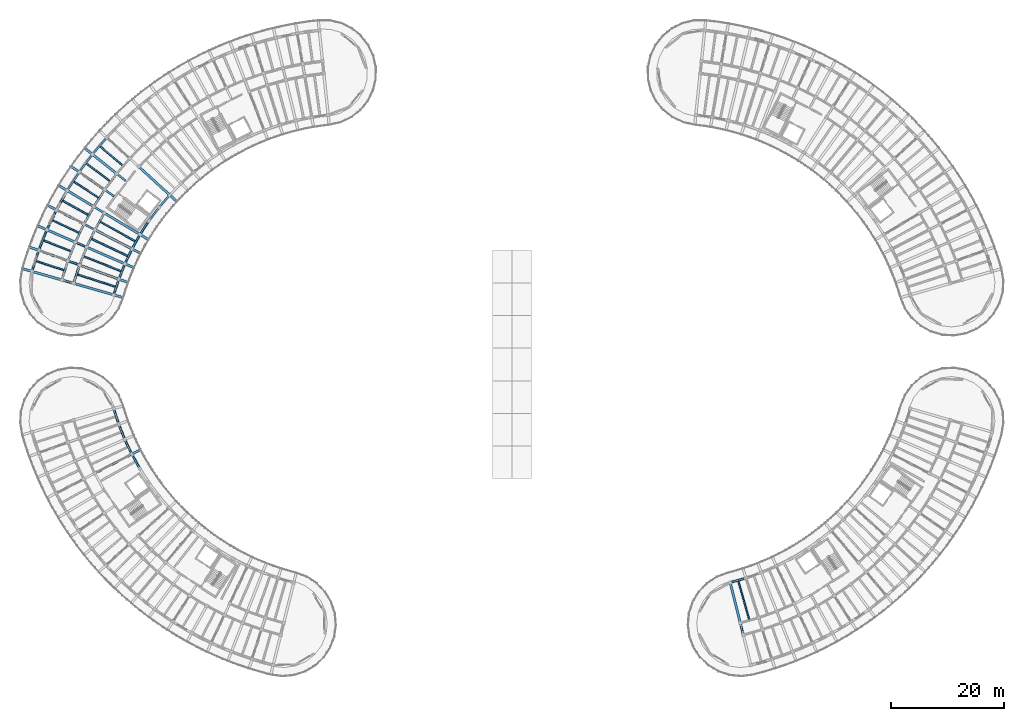
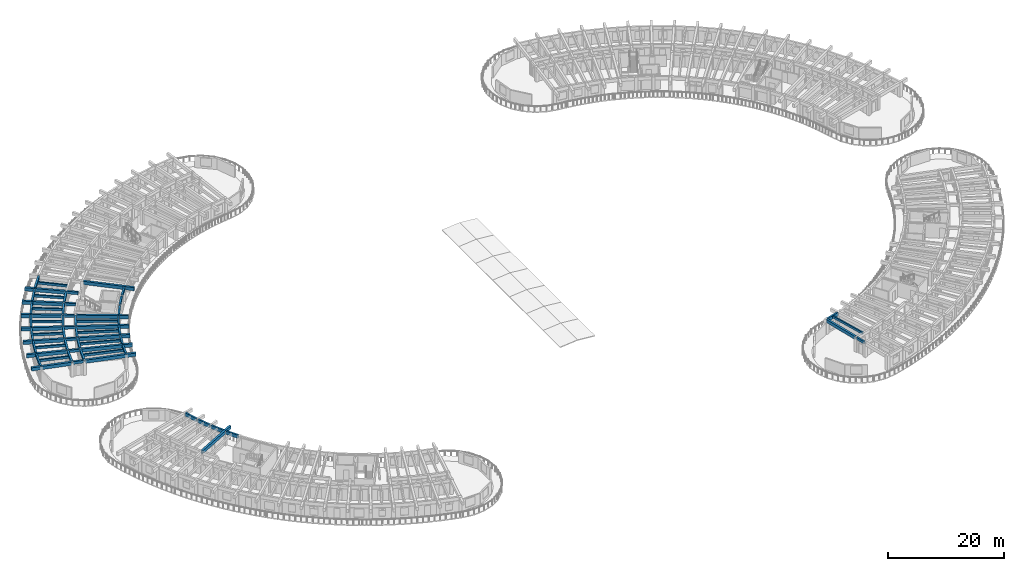
# One storey, part 6 of 69: 64 beams.
"""IFC4 building model written with IfcOpenShell, lengths in metres."""

from ifc_helpers import new_model, si_unit, direction, frame, origin, origin_2d, place, context, subcontext, project, spatial, rectangle, extrude, material, material_profile, profile_set, type_object, element, save


model = new_model("IFC4")

# Units and contexts
model_context = context("Model", 3, precision=1e-05, world=origin(), true_north=direction((0.0, 1.0)))
body_context = subcontext(model_context, "Body", "Model", "MODEL_VIEW")
ifc_project = project(units=[si_unit("LENGTHUNIT", "METRE"), si_unit("AREAUNIT", "SQUARE_METRE"), si_unit("VOLUMEUNIT", "CUBIC_METRE"), si_unit("PLANEANGLEUNIT", "RADIAN"), si_unit("MASSUNIT", "GRAM", prefix="KILO")], contexts=[model_context])

# Site, building, storey
site_placement = place(None, origin())
site = spatial("IfcSite", under=ifc_project, at=site_placement, CompositionType="ELEMENT")
building_placement = place(site_placement, origin())
building = spatial("IfcBuilding", under=site, at=building_placement, Name="Tanwirah Colonnade Gardens", CompositionType="ELEMENT")
storey_placement = place(building_placement, frame((0.0, 0.0, 15.56005859375)))
storey = spatial("IfcBuildingStorey", under=building, at=storey_placement, Name="L04", CompositionType="ELEMENT", Elevation=15.56005859375)

# Beams
ifc_material_1 = material(Name="Precast concrete C40/50", Category="concrete")
ifc_material_profile_1 = material_profile(ifc_material_1, rectangle(XDim=0.320068359375, YDim=0.52001953125, at=origin_2d()), Name="PC-BM 320x520")
ifc_profile_set_1 = profile_set([ifc_material_profile_1], Name="Precast concrete C40/50")
beam_type_1 = type_object("IfcBeamType", Name="BM-PC320", PredefinedType="BEAM", material=ifc_profile_set_1)
beam_1_placement = place(storey_placement, frame((133.579833984375, 14.044677734375, 2.849853515625), z_axis=(0.241961122321, -0.970285945114, 0.0), x_axis=(0.970285945114, 0.241961122321, 0.0)))
element("IfcBeam", 1, at=beam_1_placement, inside=storey, type_object=beam_type_1, Name="Block D L04 Corridor Tie Beam 0", PredefinedType="BEAM", context=body_context, shape_type="SweptSolid", body=[
    extrude(rectangle(XDim=0.320068359375, YDim=0.52001953125, at=origin_2d()), origin(), (0.0, 0.0, 1.0), 1.89990234375),
])
ifc_material_profile_2 = material_profile(ifc_material_1, rectangle(XDim=0.35009765625, YDim=0.550048828125, at=origin_2d()), Name="PC-BM 350x550")
ifc_profile_set_2 = profile_set([ifc_material_profile_2], Name="Precast concrete C40/50")
beam_type_2 = type_object("IfcBeamType", Name="BM-PC350A", PredefinedType="BEAM", material=ifc_profile_set_2)
for number, where, z_axis, x_axis, name in (
    (2, (24.398681640625, 92.68896484375, 2.8349609375), (-0.78073089418, 0.624867402633, 0.0), (-0.624867402633, -0.78073089418, 0.0), "Block A L04 Corridor Tie Beam 12"),
    (3, (22.346435546875, 89.943359375, 2.8349609375), (-0.820305001782, 0.571926309983, 0.0), (-0.571926309983, -0.820305001782, 0.0), "Block A L04 Corridor Tie Beam 13"),
    (4, (20.479248046875, 87.068359375, 2.8349609375), (-0.856174920318, 0.516686080534, 0.0), (-0.516686080534, -0.856174920318, 0.0), "Block A L04 Corridor Tie Beam 14"),
    (5, (18.8056640625, 84.07666015625, 2.8349609375), (-0.888358643941, 0.459150214784, 0.0), (-0.459150214784, -0.888358643941, 0.0), "Block A L04 Corridor Tie Beam 15"),
    (6, (17.3330078125, 80.981201171875, 2.8349609375), (-0.916681481826, 0.399618644306, 0.0), (-0.399618644306, -0.916681481826, 0.0), "Block A L04 Corridor Tie Beam 16"),
    (7, (16.0673828125, 77.79541015625, 2.8349609375), (-0.941021664552, 0.338346311999, 0.0), (-0.338346311999, -0.941021664552, 0.0), "Block A L04 Corridor Tie Beam 17"),
    (8, (15.014404296875, 74.533203125, 2.8349609375), (-0.961266538157, 0.275620468433, 0.0), (-0.275620468433, -0.961266538157, 0.0), "Block A L04 Corridor Tie Beam 18"),
):
    element("IfcBeam", number, at=place(storey_placement, frame(where, z_axis=z_axis, x_axis=x_axis)), inside=storey, type_object=beam_type_2, Name=name, PredefinedType="BEAM", context=body_context, shape_type="SweptSolid", body=[
        extrude(rectangle(XDim=0.35009765625, YDim=0.550048828125, at=origin_2d()), origin(), (0.0, 0.0, 1.0), 1.89990234375),
    ])
ifc_material_profile_3 = material_profile(ifc_material_1, rectangle(XDim=0.35009765625, YDim=0.60009765625, at=origin_2d()), Name="PC-BM 350x600")
ifc_profile_set_3 = profile_set([ifc_material_profile_3], Name="Precast concrete C40/50")
beam_type_3 = type_object("IfcBeamType", Name="BM-PC350B", PredefinedType="BEAM", material=ifc_profile_set_3)
for number, where, z_axis, x_axis, name in (
    (9, (22.708251953125, 93.849609375, 2.81005859375), (-0.59871829396, -0.800959677186, 0.0), (0.800959677186, -0.59871829396, 0.0), "Block A L04 Circumferential Beam 12-R2"),
    (10, (20.5830078125, 90.989990234375, 2.81005859375), (-0.544627998385, -0.838677735114, 0.0), (0.838677735114, -0.544627998385, 0.0), "Block A L04 Circumferential Beam 13-R2"),
):
    element("IfcBeam", number, at=place(storey_placement, frame(where, z_axis=z_axis, x_axis=x_axis)), inside=storey, type_object=beam_type_3, Name=name, PredefinedType="BEAM", context=body_context, shape_type="SweptSolid", body=[
        extrude(rectangle(XDim=0.35009765625, YDim=0.60009765625, at=origin_2d()), origin(), (0.0, 0.0, 1.0), 3.262939453125),
    ])
beam_2_placement = place(storey_placement, frame((20.534423828125, 86.85986328125, 2.81005859375), z_axis=(-0.488200372352, -0.872731571811, 0.0), x_axis=(0.872731571811, -0.488200372352, 0.0)))
element("IfcBeam", 11, at=beam_2_placement, inside=storey, type_object=beam_type_3, Name="Block A L04 Circumferential Beam 14-R1", PredefinedType="BEAM", context=body_context, shape_type="SweptSolid", body=[
    extrude(rectangle(XDim=0.35009765625, YDim=0.60009765625, at=origin_2d()), origin(), (0.0, 0.0, 1.0), 3.117919921875),
])
beam_3_placement = place(storey_placement, frame((18.65087890625, 87.99658203125, 2.81005859375), z_axis=(-0.488213717102, -0.87272410671, 0.0), x_axis=(0.87272410671, -0.488213717102, 0.0)))
element("IfcBeam", 12, at=beam_3_placement, inside=storey, type_object=beam_type_3, Name="Block A L04 Circumferential Beam 14-R2", PredefinedType="BEAM", context=body_context, shape_type="SweptSolid", body=[
    extrude(rectangle(XDim=0.35009765625, YDim=0.60009765625, at=origin_2d()), origin(), (0.0, 0.0, 1.0), 3.262939453125),
])
beam_4_placement = place(storey_placement, frame((18.87451171875, 83.872314453125, 2.81005859375), z_axis=(-0.429620507728, -0.903009534468, 0.0), x_axis=(0.903009534468, -0.429620507728, 0.0)))
element("IfcBeam", 13, at=beam_4_placement, inside=storey, type_object=beam_type_3, Name="Block A L04 Circumferential Beam 15-R1", PredefinedType="BEAM", context=body_context, shape_type="SweptSolid", body=[
    extrude(rectangle(XDim=0.35009765625, YDim=0.60009765625, at=origin_2d()), origin(), (0.0, 0.0, 1.0), 3.1181640625),
])
beam_5_placement = place(storey_placement, frame((16.920166015625, 84.882568359375, 2.81005859375), z_axis=(-0.4295908638, -0.90302363742, 0.0), x_axis=(0.90302363742, -0.4295908638, 0.0)))
element("IfcBeam", 14, at=beam_5_placement, inside=storey, type_object=beam_type_3, Name="Block A L04 Circumferential Beam 15-R2", PredefinedType="BEAM", context=body_context, shape_type="SweptSolid", body=[
    extrude(rectangle(XDim=0.35009765625, YDim=0.60009765625, at=origin_2d()), origin(), (0.0, 0.0, 1.0), 3.26318359375),
])
beam_6_placement = place(storey_placement, frame((17.4150390625, 80.78173828125, 2.81005859375), z_axis=(-0.369189105832, -0.929354294193, 0.0), x_axis=(0.929354294193, -0.369189105832, 0.0)))
element("IfcBeam", 15, at=beam_6_placement, inside=storey, type_object=beam_type_3, Name="Block A L04 Circumferential Beam 16-R1", PredefinedType="BEAM", context=body_context, shape_type="SweptSolid", body=[
    extrude(rectangle(XDim=0.35009765625, YDim=0.60009765625, at=origin_2d()), origin(), (0.0, 0.0, 1.0), 3.117919921875),
])
beam_7_placement = place(storey_placement, frame((15.3984375, 81.6611328125, 2.81005859375), z_axis=(-0.369209712056, -0.929346108037, 0.0), x_axis=(0.929346108037, -0.369209712056, 0.0)))
element("IfcBeam", 16, at=beam_7_placement, inside=storey, type_object=beam_type_3, Name="Block A L04 Circumferential Beam 16-R2", PredefinedType="BEAM", context=body_context, shape_type="SweptSolid", body=[
    extrude(rectangle(XDim=0.35009765625, YDim=0.60009765625, at=origin_2d()), origin(), (0.0, 0.0, 1.0), 3.26318359375),
])
beam_8_placement = place(storey_placement, frame((16.162353515625, 77.601806640625, 2.81005859375), z_axis=(-0.307169780148, -0.951654730542, 0.0), x_axis=(0.951654730542, -0.307169780148, 0.0)))
element("IfcBeam", 17, at=beam_8_placement, inside=storey, type_object=beam_type_3, Name="Block A L04 Circumferential Beam 17-R1", PredefinedType="BEAM", context=body_context, shape_type="SweptSolid", body=[
    extrude(rectangle(XDim=0.35009765625, YDim=0.60009765625, at=origin_2d()), origin(), (0.0, 0.0, 1.0), 3.117919921875),
])
beam_9_placement = place(storey_placement, frame((14.09228515625, 78.34619140625, 2.81005859375), z_axis=(-0.307212636327, -0.9516408966, 0.0), x_axis=(0.9516408966, -0.307212636327, 0.0)))
element("IfcBeam", 18, at=beam_9_placement, inside=storey, type_object=beam_type_3, Name="Block A L04 Circumferential Beam 17-R2", PredefinedType="BEAM", context=body_context, shape_type="SweptSolid", body=[
    extrude(rectangle(XDim=0.35009765625, YDim=0.60009765625, at=origin_2d()), origin(), (0.0, 0.0, 1.0), 3.262939453125),
])
ifc_material_2 = material(Name="Precast concrete C45/55", Category="concrete")
ifc_material_profile_4 = material_profile(ifc_material_2, rectangle(XDim=0.39990234375, YDim=0.64990234375, at=origin_2d()), Name="PC-BM 400x650")
ifc_profile_set_4 = profile_set([ifc_material_profile_4], Name="Precast concrete C45/55")
beam_type_4 = type_object("IfcBeamType", Name="BM-PC400", PredefinedType="BEAM", material=ifc_profile_set_4)
beam_10_placement = place(storey_placement, frame((19.037841796875, 40.827880859375, 2.784912109375), z_axis=(0.889022337846, 0.457863825619, 0.0), x_axis=(-0.457863825619, 0.889022337846, 0.0)))
element("IfcBeam", 19, at=beam_10_placement, inside=storey, type_object=beam_type_4, Name="Block C L04 Inner Radial Precast Girder 3", PredefinedType="BEAM", context=body_context, shape_type="SweptSolid", body=[
    extrude(rectangle(XDim=0.39990234375, YDim=0.64990234375, at=origin_2d()), origin(), (0.0, 0.0, 1.0), 8.949951171875),
])
beam_11_placement = place(storey_placement, frame((133.50732421875, 14.335693359375, 2.784912109375), z_axis=(-0.241904492141, 0.97030006528, 0.0), x_axis=(-0.97030006528, -0.241904492141, 0.0)))
element("IfcBeam", 20, at=beam_11_placement, inside=storey, type_object=beam_type_4, Name="Block D L04 Inner Radial Precast Girder 0", PredefinedType="BEAM", context=body_context, shape_type="SweptSolid", body=[
    extrude(rectangle(XDim=0.39990234375, YDim=0.64990234375, at=origin_2d()), origin(), (0.0, 0.0, 1.0), 7.10009765625),
])
ifc_material_profile_5 = material_profile(ifc_material_2, rectangle(XDim=0.419921875, YDim=0.679931640625, at=origin_2d()), Name="PC-BM 420x680")
ifc_profile_set_5 = profile_set([ifc_material_profile_5], Name="Precast concrete C45/55")
beam_type_5 = type_object("IfcBeamType", Name="BM-PC420", PredefinedType="BEAM", material=ifc_profile_set_5)
beam_12_placement = place(storey_placement, frame((26.848876953125, 95.091064453125, 2.77001953125), z_axis=(0.737937205818, -0.674869380154, 0.0), x_axis=(0.674869380154, 0.737937205818, 0.0)))
element("IfcBeam", 21, at=beam_12_placement, inside=storey, type_object=beam_type_5, Name="Block A L04 Inner Radial Precast Girder 11", PredefinedType="BEAM", context=body_context, shape_type="SweptSolid", body=[
    extrude(rectangle(XDim=0.419921875, YDim=0.679931640625, at=origin_2d()), origin(), (0.0, 0.0, 1.0), 8.949951171875),
])
for number, where, z_axis, x_axis, name in (
    (22, (22.680908203125, 94.0634765625, 2.77001953125), (-0.780794476885, 0.624787951921, 0.0), (-0.624787951921, -0.780794476885, 0.0), "Block A L04 Outer Radial Precast Girder 12"),
    (23, (20.541748046875, 91.20166015625, 2.77001953125), (-0.820270158139, 0.571976282433, 0.0), (-0.571976282433, -0.820270158139, 0.0), "Block A L04 Outer Radial Precast Girder 13"),
):
    element("IfcBeam", number, at=place(storey_placement, frame(where, z_axis=z_axis, x_axis=x_axis)), inside=storey, type_object=beam_type_5, Name=name, PredefinedType="BEAM", context=body_context, shape_type="SweptSolid", body=[
        extrude(rectangle(XDim=0.419921875, YDim=0.679931640625, at=origin_2d()), origin(), (0.0, 0.0, 1.0), 7.050048828125),
    ])
beam_13_placement = place(storey_placement, frame((20.736083984375, 86.913330078125, 2.77001953125), z_axis=(0.856168728297, -0.516696340887, 0.0), x_axis=(0.516696340887, 0.856168728297, 0.0)))
element("IfcBeam", 24, at=beam_13_placement, inside=storey, type_object=beam_type_5, Name="Block A L04 Inner Radial Precast Girder 14", PredefinedType="BEAM", context=body_context, shape_type="SweptSolid", body=[
    extrude(rectangle(XDim=0.419921875, YDim=0.679931640625, at=origin_2d()), origin(), (0.0, 0.0, 1.0), 8.9501953125),
])
beam_14_placement = place(storey_placement, frame((18.595703125, 88.205078125, 2.77001953125), z_axis=(-0.856157813984, 0.516714425533, 0.0), x_axis=(-0.516714425533, -0.856157813984, 0.0)))
element("IfcBeam", 25, at=beam_14_placement, inside=storey, type_object=beam_type_5, Name="Block A L04 Outer Radial Precast Girder 14", PredefinedType="BEAM", context=body_context, shape_type="SweptSolid", body=[
    extrude(rectangle(XDim=0.419921875, YDim=0.679931640625, at=origin_2d()), origin(), (0.0, 0.0, 1.0), 7.050048828125),
])
beam_15_placement = place(storey_placement, frame((19.072265625, 83.93896484375, 2.77001953125), z_axis=(0.888345427876, -0.459175784175, 0.0), x_axis=(0.459175784175, 0.888345427876, 0.0)))
element("IfcBeam", 26, at=beam_15_placement, inside=storey, type_object=beam_type_5, Name="Block A L04 Inner Radial Precast Girder 15", PredefinedType="BEAM", context=body_context, shape_type="SweptSolid", body=[
    extrude(rectangle(XDim=0.419921875, YDim=0.679931640625, at=origin_2d()), origin(), (0.0, 0.0, 1.0), 8.949951171875),
])
beam_16_placement = place(storey_placement, frame((16.851318359375, 85.0869140625, 2.77001953125), z_axis=(-0.888348690665, 0.459169471758, 0.0), x_axis=(-0.459169471758, -0.888348690665, 0.0)))
element("IfcBeam", 27, at=beam_16_placement, inside=storey, type_object=beam_type_5, Name="Block A L04 Outer Radial Precast Girder 15", PredefinedType="BEAM", context=body_context, shape_type="SweptSolid", body=[
    extrude(rectangle(XDim=0.419921875, YDim=0.679931640625, at=origin_2d()), origin(), (0.0, 0.0, 1.0), 7.0498046875),
])
beam_17_placement = place(storey_placement, frame((17.60791015625, 80.861328125, 2.77001953125), z_axis=(0.916669317869, -0.399646545934, 0.0), x_axis=(0.399646545934, 0.916669317869, 0.0)))
element("IfcBeam", 28, at=beam_17_placement, inside=storey, type_object=beam_type_5, Name="Block A L04 Inner Radial Precast Girder 16", PredefinedType="BEAM", context=body_context, shape_type="SweptSolid", body=[
    extrude(rectangle(XDim=0.419921875, YDim=0.679931640625, at=origin_2d()), origin(), (0.0, 0.0, 1.0), 8.9501953125),
])
beam_18_placement = place(storey_placement, frame((15.31640625, 81.8603515625, 2.77001953125), z_axis=(-0.916678725612, 0.399624966702, 0.0), x_axis=(-0.399624966702, -0.916678725612, 0.0)))
element("IfcBeam", 29, at=beam_18_placement, inside=storey, type_object=beam_type_5, Name="Block A L04 Outer Radial Precast Girder 16", PredefinedType="BEAM", context=body_context, shape_type="SweptSolid", body=[
    extrude(rectangle(XDim=0.419921875, YDim=0.679931640625, at=origin_2d()), origin(), (0.0, 0.0, 1.0), 7.050048828125),
])
beam_19_placement = place(storey_placement, frame((16.349609375, 77.69384765625, 2.77001953125), z_axis=(0.941017049702, -0.338359146723, 0.0), x_axis=(0.338359146723, 0.941017049702, 0.0)))
element("IfcBeam", 30, at=beam_19_placement, inside=storey, type_object=beam_type_5, Name="Block A L04 Inner Radial Precast Girder 17", PredefinedType="BEAM", context=body_context, shape_type="SweptSolid", body=[
    extrude(rectangle(XDim=0.419921875, YDim=0.679931640625, at=origin_2d()), origin(), (0.0, 0.0, 1.0), 8.949951171875),
])
beam_20_placement = place(storey_placement, frame((13.9970703125, 78.539794921875, 2.77001953125), z_axis=(-0.941011841171, 0.338373631917, 0.0), x_axis=(-0.338373631917, -0.941011841171, 0.0)))
element("IfcBeam", 31, at=beam_20_placement, inside=storey, type_object=beam_type_5, Name="Block A L04 Outer Radial Precast Girder 17", PredefinedType="BEAM", context=body_context, shape_type="SweptSolid", body=[
    extrude(rectangle(XDim=0.419921875, YDim=0.679931640625, at=origin_2d()), origin(), (0.0, 0.0, 1.0), 7.0498046875),
])
beam_21_placement = place(storey_placement, frame((15.302734375, 74.450439453125, 2.77001953125), z_axis=(0.961258954076, -0.275646917646, 0.0), x_axis=(0.275646917646, 0.961258954076, 0.0)))
element("IfcBeam", 32, at=beam_21_placement, inside=storey, type_object=beam_type_5, Name="Block A L04 Inner Radial Precast Girder 18", PredefinedType="BEAM", context=body_context, shape_type="SweptSolid", body=[
    extrude(rectangle(XDim=0.419921875, YDim=0.679931640625, at=origin_2d()), origin(), (0.0, 0.0, 1.0), 8.949951171875),
])
beam_22_placement = place(storey_placement, frame((12.899658203125, 75.1396484375, 2.77001953125), z_axis=(-0.961266085595, 0.275622046806, 0.0), x_axis=(-0.275622046806, -0.961266085595, 0.0)))
element("IfcBeam", 33, at=beam_22_placement, inside=storey, type_object=beam_type_5, Name="Block A L04 Outer Radial Precast Girder 18", PredefinedType="BEAM", context=body_context, shape_type="SweptSolid", body=[
    extrude(rectangle(XDim=0.419921875, YDim=0.679931640625, at=origin_2d()), origin(), (0.0, 0.0, 1.0), 7.0498046875),
])
ifc_material_profile_6 = material_profile(ifc_material_1, rectangle(XDim=0.2548828125, YDim=0.455078125, at=origin_2d()), Name="PC-JST 255x455")
ifc_profile_set_6 = profile_set([ifc_material_profile_6], Name="Precast concrete C40/50")
beam_type_6 = type_object("IfcBeamType", Name="JST-PC240", PredefinedType="JOIST", material=ifc_profile_set_6)
beam_23_placement = place(storey_placement, frame((133.191650390625, 21.6298828125, 2.88232421875), z_axis=(0.273532000762, -0.961862903204, 0.0), x_axis=(0.961862903204, 0.273532000762, 0.0)))
element("IfcBeam", 34, at=beam_23_placement, inside=storey, type_object=beam_type_6, Name="Block D L04 Inner Precast Floor Joist 0", PredefinedType="JOIST", context=body_context, shape_type="SweptSolid", body=[
    extrude(rectangle(XDim=0.2548828125, YDim=0.455078125, at=origin_2d()), origin(), (0.0, 0.0, 1.0), 7.159912109375),
])
ifc_material_profile_7 = material_profile(ifc_material_1, rectangle(XDim=0.280029296875, YDim=0.47998046875, at=origin_2d()), Name="PC-JST 280x480")
ifc_profile_set_7 = profile_set([ifc_material_profile_7], Name="Precast concrete C40/50")
beam_type_7 = type_object("IfcBeamType", Name="JST-PC280", PredefinedType="JOIST", material=ifc_profile_set_7)
beam_24_placement = place(storey_placement, frame((23.843017578125, 95.42041015625, 2.869873046875), z_axis=(-0.759770723643, 0.65019108537, 0.0), x_axis=(-0.65019108537, -0.759770723643, 0.0)))
element("IfcBeam", 35, at=beam_24_placement, inside=storey, type_object=beam_type_7, Name="Block A L04 Precast Floor Joist 11", PredefinedType="JOIST", context=body_context, shape_type="SweptSolid", body=[
    extrude(rectangle(XDim=0.280029296875, YDim=0.47998046875, at=origin_2d()), origin(), (0.0, 0.0, 1.0), 5.26025390625),
])
beam_25_placement = place(storey_placement, frame((21.61181640625, 92.63232421875, 2.869873046875), z_axis=(-0.800973647215, 0.598699604533, 0.0), x_axis=(-0.598699604533, -0.800973647215, 0.0)))
element("IfcBeam", 36, at=beam_25_placement, inside=storey, type_object=beam_type_7, Name="Block A L04 Precast Floor Joist 12", PredefinedType="JOIST", context=body_context, shape_type="SweptSolid", body=[
    extrude(rectangle(XDim=0.280029296875, YDim=0.47998046875, at=origin_2d()), origin(), (0.0, 0.0, 1.0), 5.260009765625),
])
beam_26_placement = place(storey_placement, frame((19.5693359375, 89.703125, 2.869873046875), z_axis=(-0.83868742622, 0.544613074669, 0.0), x_axis=(-0.544613074669, -0.83868742622, 0.0)))
element("IfcBeam", 37, at=beam_26_placement, inside=storey, type_object=beam_type_7, Name="Block A L04 Precast Floor Joist 13", PredefinedType="JOIST", context=body_context, shape_type="SweptSolid", body=[
    extrude(rectangle(XDim=0.280029296875, YDim=0.47998046875, at=origin_2d()), origin(), (0.0, 0.0, 1.0), 5.26025390625),
])
beam_27_placement = place(storey_placement, frame((17.72412109375, 86.645751953125, 2.869873046875), z_axis=(-0.872737031138, 0.488190612855, 0.0), x_axis=(-0.488190612855, -0.872737031138, 0.0)))
element("IfcBeam", 38, at=beam_27_placement, inside=storey, type_object=beam_type_7, Name="Block A L04 Precast Floor Joist 14", PredefinedType="JOIST", context=body_context, shape_type="SweptSolid", body=[
    extrude(rectangle(XDim=0.280029296875, YDim=0.47998046875, at=origin_2d()), origin(), (0.0, 0.0, 1.0), 5.260009765625),
])
beam_28_placement = place(storey_placement, frame((26.102294921875, 81.958984375, 2.869873046875), z_axis=(-0.872726875563, 0.488208767506, 0.0), x_axis=(-0.488208767506, -0.872726875563, 0.0)))
element("IfcBeam", 39, at=beam_28_placement, inside=storey, type_object=beam_type_7, Name="Block A L04 Inner Precast Floor Joist 14", PredefinedType="JOIST", context=body_context, shape_type="SweptSolid", body=[
    extrude(rectangle(XDim=0.280029296875, YDim=0.47998046875, at=origin_2d()), origin(), (0.0, 0.0, 1.0), 7.16015625),
])
beam_29_placement = place(storey_placement, frame((16.08447265625, 83.473388671875, 2.869873046875), z_axis=(-0.903018314862, 0.429602051931, 0.0), x_axis=(-0.429602051931, -0.903018314862, 0.0)))
element("IfcBeam", 40, at=beam_29_placement, inside=storey, type_object=beam_type_7, Name="Block A L04 Precast Floor Joist 15", PredefinedType="JOIST", context=body_context, shape_type="SweptSolid", body=[
    extrude(rectangle(XDim=0.280029296875, YDim=0.47998046875, at=origin_2d()), origin(), (0.0, 0.0, 1.0), 5.26025390625),
])
beam_30_placement = place(storey_placement, frame((24.753173828125, 79.348876953125, 2.869873046875), z_axis=(-0.903005429363, 0.429629136048, 0.0), x_axis=(-0.429629136048, -0.903005429363, 0.0)))
element("IfcBeam", 41, at=beam_30_placement, inside=storey, type_object=beam_type_7, Name="Block A L04 Inner Precast Floor Joist 15", PredefinedType="JOIST", context=body_context, shape_type="SweptSolid", body=[
    extrude(rectangle(XDim=0.280029296875, YDim=0.47998046875, at=origin_2d()), origin(), (0.0, 0.0, 1.0), 7.16015625),
])
beam_31_placement = place(storey_placement, frame((14.6572265625, 80.199951171875, 2.869873046875), z_axis=(-0.929357539836, 0.369180935517, 0.0), x_axis=(-0.369180935517, -0.929357539836, 0.0)))
element("IfcBeam", 42, at=beam_31_placement, inside=storey, type_object=beam_type_7, Name="Block A L04 Precast Floor Joist 16", PredefinedType="JOIST", context=body_context, shape_type="SweptSolid", body=[
    extrude(rectangle(XDim=0.280029296875, YDim=0.47998046875, at=origin_2d()), origin(), (0.0, 0.0, 1.0), 5.260009765625),
])
beam_32_placement = place(storey_placement, frame((23.578857421875, 76.655517578125, 2.869873046875), z_axis=(-0.929344232768, 0.369214432303, 0.0), x_axis=(-0.369214432303, -0.929344232768, 0.0)))
element("IfcBeam", 43, at=beam_32_placement, inside=storey, type_object=beam_type_7, Name="Block A L04 Inner Precast Floor Joist 16", PredefinedType="JOIST", context=body_context, shape_type="SweptSolid", body=[
    extrude(rectangle(XDim=0.280029296875, YDim=0.47998046875, at=origin_2d()), origin(), (0.0, 0.0, 1.0), 7.159912109375),
])
beam_33_placement = place(storey_placement, frame((13.448974609375, 76.839599609375, 2.869873046875), z_axis=(-0.951656985441, 0.307162794072, 0.0), x_axis=(-0.307162794072, -0.951656985441, 0.0)))
element("IfcBeam", 44, at=beam_33_placement, inside=storey, type_object=beam_type_7, Name="Block A L04 Precast Floor Joist 17", PredefinedType="JOIST", context=body_context, shape_type="SweptSolid", body=[
    extrude(rectangle(XDim=0.280029296875, YDim=0.47998046875, at=origin_2d()), origin(), (0.0, 0.0, 1.0), 5.26025390625),
])
beam_34_placement = place(storey_placement, frame((22.584716796875, 73.890625, 2.869873046875), z_axis=(-0.951647858625, 0.307191069489, 0.0), x_axis=(-0.307191069489, -0.951647858625, 0.0)))
element("IfcBeam", 45, at=beam_34_placement, inside=storey, type_object=beam_type_7, Name="Block A L04 Inner Precast Floor Joist 17", PredefinedType="JOIST", context=body_context, shape_type="SweptSolid", body=[
    extrude(rectangle(XDim=0.280029296875, YDim=0.47998046875, at=origin_2d()), origin(), (0.0, 0.0, 1.0), 7.159912109375),
])
ifc_material_profile_8 = material_profile(ifc_material_1, rectangle(XDim=0.324951171875, YDim=0.68505859375, at=origin_2d()), Name="PC-SP 325x685")
ifc_profile_set_8 = profile_set([ifc_material_profile_8], Name="Precast concrete C40/50")
beam_type_8 = type_object("IfcBeamType", Name="SP-PC260", PredefinedType="SPANDREL", material=ifc_profile_set_8)
beam_35_placement = place(storey_placement, frame((131.897705078125, 21.411376953125, 2.767333984375), z_axis=(0.961858721299, 0.273546705814, 0.0), x_axis=(-0.273546705814, 0.961858721299, 0.0)))
element("IfcBeam", 46, at=beam_35_placement, inside=storey, type_object=beam_type_8, Name="Block D L04 Circumferential Beam 0-R0", PredefinedType="SPANDREL", context=body_context, shape_type="SweptSolid", body=[
    extrude(rectangle(XDim=0.324951171875, YDim=0.68505859375, at=origin_2d()), origin(), (0.0, 0.0, 1.0), 2.60888671875),
])
ifc_material_profile_9 = material_profile(ifc_material_1, rectangle(XDim=0.330078125, YDim=0.68994140625, at=origin_2d()), Name="PC-SP 330x690")
ifc_profile_set_9 = profile_set([ifc_material_profile_9], Name="Precast concrete C40/50")
beam_type_9 = type_object("IfcBeamType", Name="SP-PC280", PredefinedType="SPANDREL", material=ifc_profile_set_9)
beam_36_placement = place(storey_placement, frame((22.31787109375, 52.105224609375, 2.764892578125), z_axis=(0.306948094518, -0.951726256479, 0.0), x_axis=(0.951726256479, 0.306948094518, 0.0)))
element("IfcBeam", 47, at=beam_36_placement, inside=storey, type_object=beam_type_9, Name="Block C L04 Circumferential Beam 0-R0", PredefinedType="SPANDREL", context=body_context, shape_type="SweptSolid", body=[
    extrude(rectangle(XDim=0.330078125, YDim=0.68994140625, at=origin_2d()), origin(), (0.0, 0.0, 1.0), 2.60888671875),
])
beam_37_placement = place(storey_placement, frame((23.219970703125, 49.340087890625, 2.764892578125), z_axis=(0.368549031306, -0.929608310808, 0.0), x_axis=(0.929608310808, 0.368549031306, 0.0)))
element("IfcBeam", 48, at=beam_37_placement, inside=storey, type_object=beam_type_9, Name="Block C L04 Circumferential Beam 1-R0", PredefinedType="SPANDREL", context=body_context, shape_type="SweptSolid", body=[
    extrude(rectangle(XDim=0.330078125, YDim=0.68994140625, at=origin_2d()), origin(), (0.0, 0.0, 1.0), 2.608642578125),
])
beam_38_placement = place(storey_placement, frame((24.301025390625, 46.64013671875, 2.764892578125), z_axis=(0.428512709915, -0.903535753272, 0.0), x_axis=(0.903535753272, 0.428512709915, 0.0)))
element("IfcBeam", 49, at=beam_38_placement, inside=storey, type_object=beam_type_9, Name="Block C L04 Circumferential Beam 2-R0", PredefinedType="SPANDREL", context=body_context, shape_type="SweptSolid", body=[
    extrude(rectangle(XDim=0.330078125, YDim=0.68994140625, at=origin_2d()), origin(), (0.0, 0.0, 1.0), 2.60888671875),
])
beam_39_placement = place(storey_placement, frame((25.55615234375, 44.016357421875, 2.764892578125), z_axis=(0.486747049114, -0.873542964129, 0.0), x_axis=(0.873542964129, 0.486747049114, 0.0)))
element("IfcBeam", 50, at=beam_39_placement, inside=storey, type_object=beam_type_9, Name="Block C L04 Circumferential Beam 3-R0", PredefinedType="SPANDREL", context=body_context, shape_type="SweptSolid", body=[
    extrude(rectangle(XDim=0.330078125, YDim=0.68994140625, at=origin_2d()), origin(), (0.0, 0.0, 1.0), 2.608642578125),
])
ifc_material_profile_10 = material_profile(ifc_material_2, rectangle(XDim=0.320068359375, YDim=0.679931640625, at=origin_2d()), Name="PC-SP 320x680")
ifc_profile_set_10 = profile_set([ifc_material_profile_10], Name="Precast concrete C45/55")
beam_type_10 = type_object("IfcBeamType", Name="SP-PC320", PredefinedType="SPANDREL", material=ifc_profile_set_10)
beam_40_placement = place(storey_placement, frame((32.101318359375, 90.084228515625, 2.77001953125), z_axis=(-0.650172023628, -0.759787035749, 0.0), x_axis=(0.759787035749, -0.650172023628, 0.0)))
element("IfcBeam", 51, at=beam_40_placement, inside=storey, type_object=beam_type_10, Name="Block A L04 Circumferential Beam 11-R0", PredefinedType="SPANDREL", context=body_context, shape_type="SweptSolid", body=[
    extrude(rectangle(XDim=0.320068359375, YDim=0.679931640625, at=origin_2d()), origin(), (0.0, 0.0, 1.0), 2.63037109375),
])
beam_41_placement = place(storey_placement, frame((20.95849609375, 100.27490234375, 2.77001953125), z_axis=(-0.65013123267, -0.75982193987, 0.0), x_axis=(0.75982193987, -0.65013123267, 0.0)))
element("IfcBeam", 52, at=beam_41_placement, inside=storey, type_object=beam_type_10, Name="Block A L04 Circumferential Beam 11-R3", PredefinedType="SPANDREL", context=body_context, shape_type="SweptSolid", body=[
    extrude(rectangle(XDim=0.320068359375, YDim=0.679931640625, at=origin_2d()), origin(), (0.0, 0.0, 1.0), 3.625732421875),
])
beam_42_placement = place(storey_placement, frame((30.203857421875, 87.851806640625, 2.77001953125), z_axis=(-0.598662613551, -0.80100129534, 0.0), x_axis=(0.80100129534, -0.598662613551, 0.0)))
element("IfcBeam", 53, at=beam_42_placement, inside=storey, type_object=beam_type_10, Name="Block A L04 Circumferential Beam 12-R0", PredefinedType="SPANDREL", context=body_context, shape_type="SweptSolid", body=[
    extrude(rectangle(XDim=0.320068359375, YDim=0.679931640625, at=origin_2d()), origin(), (0.0, 0.0, 1.0), 2.63037109375),
])
beam_43_placement = place(storey_placement, frame((18.413818359375, 97.285888671875, 2.77001953125), z_axis=(-0.598695554058, -0.800976674786, 0.0), x_axis=(0.800976674786, -0.598695554058, 0.0)))
element("IfcBeam", 54, at=beam_43_placement, inside=storey, type_object=beam_type_10, Name="Block A L04 Circumferential Beam 12-R3", PredefinedType="SPANDREL", context=body_context, shape_type="SweptSolid", body=[
    extrude(rectangle(XDim=0.320068359375, YDim=0.679931640625, at=origin_2d()), origin(), (0.0, 0.0, 1.0), 3.625732421875),
])
beam_44_placement = place(storey_placement, frame((28.45751953125, 85.4990234375, 2.77001953125), z_axis=(-0.544570677829, -0.838714955661, 0.0), x_axis=(0.838714955661, -0.544570677829, 0.0)))
element("IfcBeam", 55, at=beam_44_placement, inside=storey, type_object=beam_type_10, Name="Block A L04 Circumferential Beam 13-R0", PredefinedType="SPANDREL", context=body_context, shape_type="SweptSolid", body=[
    extrude(rectangle(XDim=0.320068359375, YDim=0.679931640625, at=origin_2d()), origin(), (0.0, 0.0, 1.0), 2.63037109375),
])
beam_45_placement = place(storey_placement, frame((16.071533203125, 94.135986328125, 2.77001953125), z_axis=(-0.544621436184, -0.838681996497, 0.0), x_axis=(0.838681996497, -0.544621436184, 0.0)))
element("IfcBeam", 56, at=beam_45_placement, inside=storey, type_object=beam_type_10, Name="Block A L04 Circumferential Beam 13-R3", PredefinedType="SPANDREL", context=body_context, shape_type="SweptSolid", body=[
    extrude(rectangle(XDim=0.320068359375, YDim=0.679931640625, at=origin_2d()), origin(), (0.0, 0.0, 1.0), 3.625732421875),
])
beam_46_placement = place(storey_placement, frame((26.8701171875, 83.036376953125, 2.77001953125), z_axis=(-0.488170837957, -0.872748092503, 0.0), x_axis=(0.872748092503, -0.488170837957, 0.0)))
element("IfcBeam", 57, at=beam_46_placement, inside=storey, type_object=beam_type_10, Name="Block A L04 Circumferential Beam 14-R0", PredefinedType="SPANDREL", context=body_context, shape_type="SweptSolid", body=[
    extrude(rectangle(XDim=0.320068359375, YDim=0.679931640625, at=origin_2d()), origin(), (0.0, 0.0, 1.0), 2.630126953125),
])
beam_47_placement = place(storey_placement, frame((13.942138671875, 90.838623046875, 2.77001953125), z_axis=(-0.488236312193, -0.872711466326, 0.0), x_axis=(0.872711466326, -0.488236312193, 0.0)))
element("IfcBeam", 58, at=beam_47_placement, inside=storey, type_object=beam_type_10, Name="Block A L04 Circumferential Beam 14-R3", PredefinedType="SPANDREL", context=body_context, shape_type="SweptSolid", body=[
    extrude(rectangle(XDim=0.320068359375, YDim=0.679931640625, at=origin_2d()), origin(), (0.0, 0.0, 1.0), 3.625732421875),
])
beam_48_placement = place(storey_placement, frame((25.448486328125, 80.474609375, 2.77001953125), z_axis=(-0.42964173036, -0.902999437172, 0.0), x_axis=(0.902999437172, -0.42964173036, 0.0)))
element("IfcBeam", 59, at=beam_48_placement, inside=storey, type_object=beam_type_10, Name="Block A L04 Circumferential Beam 15-R0", PredefinedType="SPANDREL", context=body_context, shape_type="SweptSolid", body=[
    extrude(rectangle(XDim=0.320068359375, YDim=0.679931640625, at=origin_2d()), origin(), (0.0, 0.0, 1.0), 2.63037109375),
])
beam_49_placement = place(storey_placement, frame((12.0341796875, 87.407958984375, 2.77001953125), z_axis=(-0.429593766142, -0.903022256698, 0.0), x_axis=(0.903022256698, -0.429593766142, 0.0)))
element("IfcBeam", 60, at=beam_49_placement, inside=storey, type_object=beam_type_10, Name="Block A L04 Circumferential Beam 15-R3", PredefinedType="SPANDREL", context=body_context, shape_type="SweptSolid", body=[
    extrude(rectangle(XDim=0.320068359375, YDim=0.679931640625, at=origin_2d()), origin(), (0.0, 0.0, 1.0), 3.625732421875),
])
beam_50_placement = place(storey_placement, frame((24.198486328125, 77.824462890625, 2.77001953125), z_axis=(-0.369245181709, -0.929332015904, 0.0), x_axis=(0.929332015904, -0.369245181709, 0.0)))
element("IfcBeam", 61, at=beam_50_placement, inside=storey, type_object=beam_type_10, Name="Block A L04 Circumferential Beam 16-R0", PredefinedType="SPANDREL", context=body_context, shape_type="SweptSolid", body=[
    extrude(rectangle(XDim=0.320068359375, YDim=0.679931640625, at=origin_2d()), origin(), (0.0, 0.0, 1.0), 2.630126953125),
])
beam_51_placement = place(storey_placement, frame((10.356689453125, 83.859130859375, 2.77001953125), z_axis=(-0.369195460985, -0.929351769562, 0.0), x_axis=(0.929351769562, -0.369195460985, 0.0)))
element("IfcBeam", 62, at=beam_51_placement, inside=storey, type_object=beam_type_10, Name="Block A L04 Circumferential Beam 16-R3", PredefinedType="SPANDREL", context=body_context, shape_type="SweptSolid", body=[
    extrude(rectangle(XDim=0.320068359375, YDim=0.679931640625, at=origin_2d()), origin(), (0.0, 0.0, 1.0), 3.625732421875),
])
beam_52_placement = place(storey_placement, frame((23.1259765625, 75.097900390625, 2.77001953125), z_axis=(-0.307219720817, -0.951638609526, 0.0), x_axis=(0.951638609526, -0.307219720817, 0.0)))
element("IfcBeam", 63, at=beam_52_placement, inside=storey, type_object=beam_type_10, Name="Block A L04 Circumferential Beam 17-R0", PredefinedType="SPANDREL", context=body_context, shape_type="SweptSolid", body=[
    extrude(rectangle(XDim=0.320068359375, YDim=0.679931640625, at=origin_2d()), origin(), (0.0, 0.0, 1.0), 2.63037109375),
])
beam_53_placement = place(storey_placement, frame((8.916748046875, 80.207275390625, 2.77001953125), z_axis=(-0.307183773768, -0.951650213647, 0.0), x_axis=(0.951650213647, -0.307183773768, 0.0)))
element("IfcBeam", 64, at=beam_53_placement, inside=storey, type_object=beam_type_10, Name="Block A L04 Circumferential Beam 17-R3", PredefinedType="SPANDREL", context=body_context, shape_type="SweptSolid", body=[
    extrude(rectangle(XDim=0.320068359375, YDim=0.679931640625, at=origin_2d()), origin(), (0.0, 0.0, 1.0), 3.625732421875),
])

save(model, "model.ifc")
